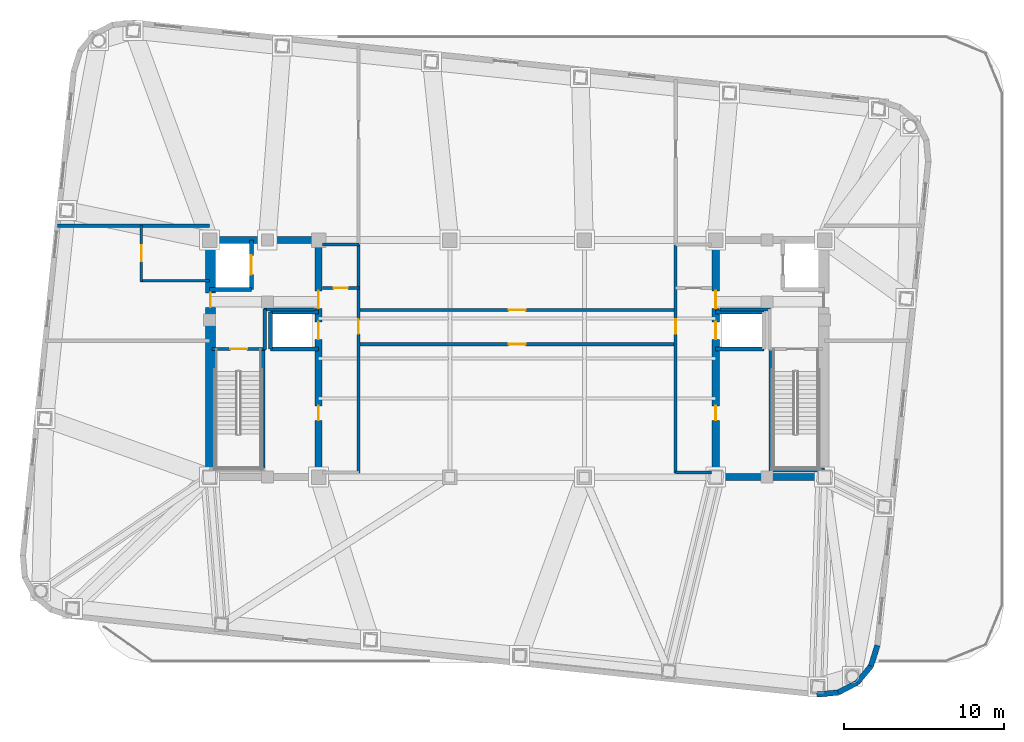
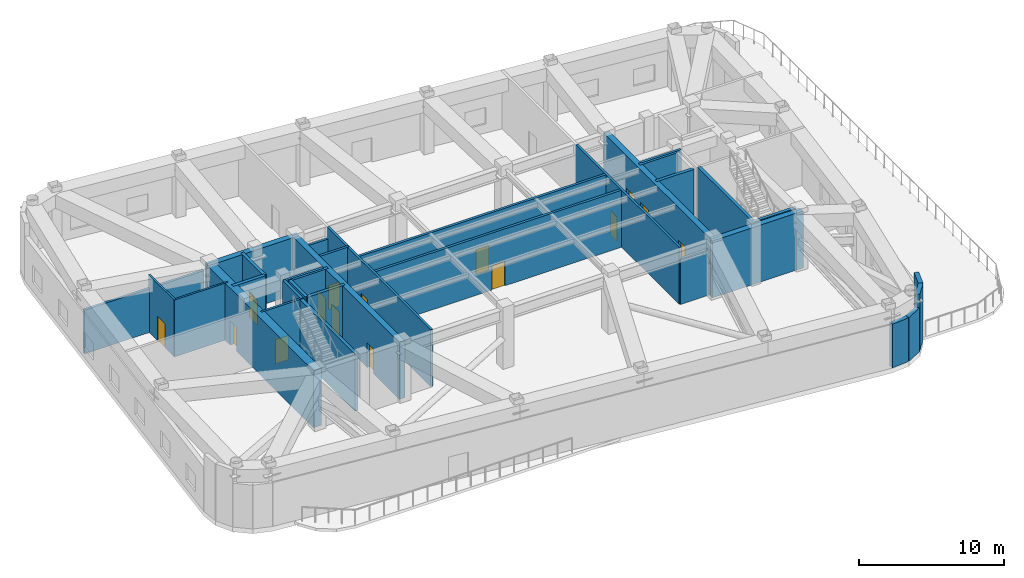
# One storey, part 4 of 9: 33 walls, 15 doors, 15 openings.
"""IFC4 building model written with IfcOpenShell, lengths in metres."""

import ifcopenshell
import ifcopenshell.guid

model = None  # the IFC model being written
_history = None  # IfcOwnerHistory: only IFC2X3 demands one
_inside = {}  # id of a spatial element -> (the spatial element, [elements in it])
_under = {}  # id of a project, library or spatial element -> (it, [spatial elements below it])
_declared = {}  # id of a project -> (the project, [libraries it declares])
_typed = {}  # id of a type object -> (the type object, [elements of that type])
_made_of = {}  # id of a material, layer set ... -> (it, [elements and type objects made of it])


def new_model(schema):
    """Start an empty IFC model of exactly this schema.

    Asked for "IFC4X3", IfcOpenShell would pick the latest addendum, in which some entities
    have other attributes; the version numbers below select the first issue.
    IFC2X3 requires an IfcOwnerHistory on every rooted entity: one is made here for all.
    """
    global model, _history
    if schema == "IFC4X3":
        model = ifcopenshell.file(schema_version=(4, 3, 0, 0))
    else:
        model = ifcopenshell.file(schema=schema)
    _inside.clear()
    _under.clear()
    _declared.clear()
    _typed.clear()
    _made_of.clear()
    _history = None
    if model.schema == "IFC2X3":
        org = make("IfcOrganization", Name="unknown")
        user = make(
            "IfcPersonAndOrganization",
            ThePerson=make("IfcPerson", FamilyName="unknown"),
            TheOrganization=org,
        )
        app = make(
            "IfcApplication",
            ApplicationDeveloper=org,
            Version="unknown",
            ApplicationFullName="unknown",
            ApplicationIdentifier="unknown",
        )
        _history = make(
            "IfcOwnerHistory",
            OwningUser=user,
            OwningApplication=app,
            ChangeAction="ADDED",
            CreationDate=0,
        )
    return model


def make(cls, **values):
    """One entity of the class cls with the attributes given. An attribute that is None is left unset."""
    return model.create_entity(
        cls, **{name: value for name, value in values.items() if value is not None}
    )


def rooted(cls, **values):
    """An entity with a GlobalId (a new one), such as an element, a storey or a relation."""
    return make(cls, GlobalId=ifcopenshell.guid.new(), OwnerHistory=_history, **values)


def si_unit(unit_type, name, prefix=None):
    """IfcSIUnit, for example si_unit("LENGTHUNIT", "METRE", prefix="MILLI")."""
    return make("IfcSIUnit", UnitType=unit_type, Prefix=prefix, Name=name)


def assignment(units):
    """IfcUnitAssignment: the units of a project."""
    return None if units is None else make("IfcUnitAssignment", Units=units)


def point(xyz):
    """IfcCartesianPoint."""
    return None if xyz is None else make("IfcCartesianPoint", Coordinates=xyz)


def direction(xyz):
    """IfcDirection."""
    return None if xyz is None else make("IfcDirection", DirectionRatios=xyz)


def frame(location, z_axis=None, x_axis=None):
    """IfcAxis2Placement3D, a coordinate frame: its origin and axes. An axis left out is left unset."""
    return make(
        "IfcAxis2Placement3D",
        Location=point(location),
        Axis=direction(z_axis),
        RefDirection=direction(x_axis),
    )


def frame_2d(location, x_axis=None):
    """IfcAxis2Placement2D, a coordinate frame in the plane: its origin and x axis."""
    return make(
        "IfcAxis2Placement2D", Location=point(location), RefDirection=direction(x_axis)
    )


def origin():
    """The frame at (0, 0, 0) with its axes left unset."""
    return frame((0.0, 0.0, 0.0))


def place(relative_to, where):
    """IfcLocalPlacement: puts the frame where relative to a parent placement (None: the world)."""
    return make(
        "IfcLocalPlacement", PlacementRelTo=relative_to, RelativePlacement=where
    )


def context(
    kind, dimensions, precision=None, world=None, true_north=None, identifier=None
):
    """IfcGeometricRepresentationContext, for example the 3D "Model" context."""
    return make(
        "IfcGeometricRepresentationContext",
        ContextIdentifier=identifier,
        ContextType=kind,
        CoordinateSpaceDimension=dimensions,
        Precision=precision,
        WorldCoordinateSystem=world,
        TrueNorth=true_north,
    )


def subcontext(parent, identifier, kind, view, scale=None):
    """IfcGeometricRepresentationSubContext, for example "Body" below "Model"."""
    return make(
        "IfcGeometricRepresentationSubContext",
        ContextIdentifier=identifier,
        ContextType=kind,
        ParentContext=parent,
        TargetScale=scale,
        TargetView=view,
    )


def project(units=None, contexts=None):
    """IfcProject with its units and contexts."""
    return rooted(
        "IfcProject",
        Name="project",
        RepresentationContexts=contexts,
        UnitsInContext=assignment(units),
    )


def spatial(cls, under=None, at=None, **own):
    """A site, building, storey or space (cls), placed at a placement, below another one or the project."""
    s = rooted(cls, ObjectPlacement=at, **own)
    if under is not None:
        _under.setdefault(under.id(), (under, []))[1].append(s)
    return s


def profile(cls, at=None, kind="AREA", **sizes):
    """A parametric profile (cls). Its sizes go by their IFC names, for example OverallWidth=200.0."""
    return make(cls, ProfileType=kind, Position=at, **sizes)


def rectangle(**sizes):
    """IfcRectangleProfileDef."""
    return profile("IfcRectangleProfileDef", **sizes)


def extrude(swept, where, along, depth):
    """IfcExtrudedAreaSolid: the profile swept, set in the frame where, extruded along a direction by depth."""
    return make(
        "IfcExtrudedAreaSolid",
        SweptArea=swept,
        Position=where,
        ExtrudedDirection=direction(along),
        Depth=depth,
    )


def shape(context_of_items, identifier, shape_type, items):
    """IfcShapeRepresentation: the items that make up one representation, for example the "Body"."""
    return make(
        "IfcShapeRepresentation",
        ContextOfItems=context_of_items,
        RepresentationIdentifier=identifier,
        RepresentationType=shape_type,
        Items=items,
    )


def material(Name=None, Category=None):
    """IfcMaterial."""
    return make("IfcMaterial", Name=Name, Category=Category)


def layer(
    of_material, thickness, ventilated=None, Name=None, Category=None, Priority=None
):
    """IfcMaterialLayer: one layer of a wall or slab, of a material (None: an air gap)."""
    return make(
        "IfcMaterialLayer",
        Material=of_material,
        LayerThickness=thickness,
        IsVentilated=ventilated,
        Name=Name,
        Category=Category,
        Priority=Priority,
    )


def layer_set(layers, Name=None):
    """IfcMaterialLayerSet."""
    return make("IfcMaterialLayerSet", MaterialLayers=layers, LayerSetName=Name)


def made_of(thing, what):
    """Note that an element or type object is made of a material, layer set ...; save() writes the relation."""
    if what is not None:
        _made_of.setdefault(what.id(), (what, []))[1].append(thing)
    return thing


def type_object(cls, material=None, **own):
    """A type object (cls), such as IfcWallType, which elements share."""
    return made_of(rooted(cls, **own), material)


def element(
    cls,
    number,
    at=None,
    inside=None,
    cuts=None,
    type_object=None,
    material=None,
    context=None,
    identifier="Body",
    shape_type=None,
    held_by="IfcProductDefinitionShape",
    body=None,
    shapes=None,
    **own,
):
    """One element of the class cls, such as IfcWall. Its Tag is "e" and its number.

    at: its placement. inside: the storey or other place that contains it. cuts: it is an
    opening in that element (IfcRelVoidsElement). A single representation is given by context,
    identifier, shape_type and body (its items); several are given by shapes. held_by: the class
    of the entity that holds the representations. save() writes the other relations.
    """
    e = rooted(cls, Tag="e%d" % number, ObjectPlacement=at, **own)
    if body is not None:
        shapes = [shape(context, identifier, shape_type, body)]
    if shapes is not None:
        e.Representation = make(held_by, Representations=shapes)
    if inside is not None:
        _inside.setdefault(inside.id(), (inside, []))[1].append(e)
    if cuts is not None:
        rooted(
            "IfcRelVoidsElement", RelatingBuildingElement=cuts, RelatedOpeningElement=e
        )
    if type_object is not None:
        _typed.setdefault(type_object.id(), (type_object, []))[1].append(e)
    return made_of(e, material)


def fill(opening, filler):
    """IfcRelFillsElement: the door or window that sits in an opening."""
    return rooted(
        "IfcRelFillsElement",
        RelatingOpeningElement=opening,
        RelatedBuildingElement=filler,
    )


def aggregate(whole, parts):
    """IfcRelAggregates: a whole, such as a stair, and the parts it consists of."""
    return rooted("IfcRelAggregates", RelatingObject=whole, RelatedObjects=parts)


def save(model, path):
    """Write the relations noted so far, then the file.

    IfcRelAggregates (storeys below a building ...), IfcRelContainedInSpatialStructure (elements
    in a storey), IfcRelDefinesByType, IfcRelAssociatesMaterial and IfcRelDeclares: one each for
    every whole, place, type object, material and project.
    """
    for whole, parts in _under.values():
        aggregate(whole, parts)
    for where, things in _inside.values():
        rooted(
            "IfcRelContainedInSpatialStructure",
            RelatedElements=things,
            RelatingStructure=where,
        )
    for kind, things in _typed.values():
        rooted("IfcRelDefinesByType", RelatedObjects=things, RelatingType=kind)
    for what, things in _made_of.values():
        rooted("IfcRelAssociatesMaterial", RelatedObjects=things, RelatingMaterial=what)
    for by, libraries in _declared.values():
        rooted("IfcRelDeclares", RelatingContext=by, RelatedDefinitions=libraries)
    model.write(path)


model = new_model("IFC4")

# Units and contexts
model_context = context("Model", 3, precision=1e-05, world=origin(), true_north=direction((0.0, 1.0)))
body_context = subcontext(model_context, "Body", "Model", "MODEL_VIEW")
ifc_project = project(units=[si_unit("LENGTHUNIT", "METRE"), si_unit("AREAUNIT", "SQUARE_METRE"), si_unit("VOLUMEUNIT", "CUBIC_METRE"), si_unit("PLANEANGLEUNIT", "RADIAN"), si_unit("MASSUNIT", "GRAM", prefix="KILO")], contexts=[model_context])

# Site, building, storey
site_placement = place(None, origin())
site = spatial("IfcSite", under=ifc_project, at=site_placement, CompositionType="ELEMENT")
building_placement = place(site_placement, origin())
building = spatial("IfcBuilding", under=site, at=building_placement, Name="Voryun Gate Residences", CompositionType="ELEMENT")
storey_placement = place(building_placement, frame((0.0, 0.0, 254.800048828125)))
storey = spatial("IfcBuildingStorey", under=building, at=storey_placement, Name="L63", CompositionType="ELEMENT", Elevation=254.800048828125)

# Wall
ifc_material_1 = material(Name="Concrete C50/60", Category="concrete")
ifc_layer_1 = layer(ifc_material_1, 0.449951171875, Name="CW_CORE_450")
ifc_layer_set_1 = layer_set([ifc_layer_1], Name="Concrete C50/60")
wall_type_1 = type_object("IfcWallType", Name="CW_CORE_450", PredefinedType="SHEAR", material=ifc_layer_set_1)
wall_1_placement = place(storey_placement, frame((-19.425048828125, 7.39990234375, 0.0), z_axis=(0.0, 0.0, 1.0), x_axis=(1.0, 0.0, 0.0)))
element("IfcWall", 1, at=wall_1_placement, inside=storey, type_object=wall_type_1, Name="L63 Core shear wall CW-L63-WN", PredefinedType="SHEAR", context=body_context, shape_type="SweptSolid", body=[
    extrude(rectangle(XDim=7.25, YDim=0.449951171875, at=frame_2d((3.625, 0.0))), origin(), (0.0, 0.0, 1.0), 4.800048828125),
])

# Wall, openings, doors
wall_2_placement = place(storey_placement, frame((-12.39990234375, -7.39990234375, 0.0), z_axis=(0.0, 0.0, 1.0), x_axis=(0.0, 1.0, 0.0)))
wall_2 = element("IfcWall", 2, at=wall_2_placement, inside=storey, type_object=wall_type_1, Name="L63 Core shear wall CW-L63-WE", PredefinedType="SHEAR", context=body_context, shape_type="SweptSolid", body=[
    extrude(rectangle(XDim=14.7998046875, YDim=0.449951171875, at=frame_2d((7.39990234375, 0.0))), origin(), (0.0, 0.0, 1.0), 4.800048828125),
])
opening_1_placement = place(wall_2_placement, frame((8.60009765625, 0.0, 0.0)))
opening_1 = element("IfcOpeningElement", 3, at=opening_1_placement, cuts=wall_2, Name="Opening LD2", PredefinedType="OPENING", context=body_context, shape_type="SweptSolid", body=[
    extrude(rectangle(XDim=1.10009765625, YDim=2.050048828125, at=frame_2d((0.550048828125, 1.02490234375))), frame((0.0, 0.235107421875, 0.0), z_axis=(0.0, -1.0, 0.0), x_axis=(1.0, 0.0, 0.0)), (0.0, 0.0, 1.0), 0.469970703125),
])
opening_2_placement = place(wall_2_placement, frame((10.530029296875, 0.0, 0.0)))
opening_2 = element("IfcOpeningElement", 4, at=opening_2_placement, cuts=wall_2, Name="Opening D-FD60-2", PredefinedType="OPENING", context=body_context, shape_type="SweptSolid", body=[
    extrude(rectangle(XDim=1.10009765625, YDim=2.050048828125, at=frame_2d((0.550048828125, 1.02490234375))), frame((0.0, 0.235107421875, 0.0), z_axis=(0.0, -1.0, 0.0), x_axis=(1.0, 0.0, 0.0)), (0.0, 0.0, 1.0), 0.469970703125),
])
opening_3_placement = place(wall_2_placement, frame((3.550048828125, 0.0, 0.0)))
opening_3 = element("IfcOpeningElement", 5, at=opening_3_placement, cuts=wall_2, Name="Opening D-FD60-4", PredefinedType="OPENING", context=body_context, shape_type="SweptSolid", body=[
    extrude(rectangle(XDim=0.89990234375, YDim=2.050048828125, at=frame_2d((0.449951171875, 1.02490234375))), frame((0.0, 0.235107421875, 0.0), z_axis=(0.0, -1.0, 0.0), x_axis=(1.0, 0.0, 0.0)), (0.0, 0.0, 1.0), 0.469970703125),
])
ifc_material_2 = material(Name="Painted steel fire door", Category="steel")
door_type_1 = type_object("IfcDoorType", Name="DR_FD60_FFLOB_1100", OperationType="NOTDEFINED", PredefinedType="DOOR", material=ifc_material_2)
door_1_placement = place(opening_2_placement, origin())
door_1 = element("IfcDoor", 6, at=door_1_placement, inside=storey, type_object=door_type_1, Name="Door DR-L63-CLOB-W", OperationType="SINGLE_SWING_LEFT", OverallHeight=2.050048828125, OverallWidth=1.10009765625, PredefinedType="DOOR", context=body_context, shape_type="SweptSolid", body=[
    extrude(rectangle(XDim=1.10009765625, YDim=2.050048828125, at=frame_2d((0.550048828125, 1.02490234375))), frame((0.0, 0.02490234375, 0.0), z_axis=(0.0, -1.0, 0.0), x_axis=(1.0, 0.0, 0.0)), (0.0, 0.0, 1.0), 0.050048828125),
])
fill(opening_2, door_1)
ifc_material_3 = material(Name="Painted steel fire door", Category="steel")
door_type_2 = type_object("IfcDoorType", Name="DR_FD60_RISER_900", OperationType="NOTDEFINED", PredefinedType="DOOR", material=ifc_material_3)
door_2_placement = place(opening_3_placement, origin())
door_2 = element("IfcDoor", 7, at=door_2_placement, inside=storey, type_object=door_type_2, Name="Door DR-L63-RECW-HI", OperationType="SINGLE_SWING_LEFT", OverallHeight=2.050048828125, OverallWidth=0.89990234375, PredefinedType="DOOR", context=body_context, shape_type="SweptSolid", body=[
    extrude(rectangle(XDim=0.89990234375, YDim=2.050048828125, at=frame_2d((0.449951171875, 1.02490234375))), frame((0.0, 0.02490234375, 0.0), z_axis=(0.0, -1.0, 0.0), x_axis=(1.0, 0.0, 0.0)), (0.0, 0.0, 1.0), 0.050048828125),
])
fill(opening_3, door_2)
ifc_material_4 = material(Name="Anodised aluminium", Category="aluminium")
door_type_3 = type_object("IfcDoorType", Name="DR_LD_PASS_1100", OperationType="NOTDEFINED", PredefinedType="DOOR", material=ifc_material_4)
door_3_placement = place(opening_1_placement, origin())
door_3 = element("IfcDoor", 8, at=door_3_placement, inside=storey, type_object=door_type_3, Name="Lift EL-P7 sliding landing door L63", OperationType="SLIDING_TO_LEFT", OverallHeight=2.050048828125, OverallWidth=1.10009765625, PredefinedType="DOOR", context=body_context, shape_type="SweptSolid", body=[
    extrude(rectangle(XDim=1.10009765625, YDim=2.050048828125, at=frame_2d((0.550048828125, 1.02490234375))), frame((0.0, 0.02490234375, 0.0), z_axis=(0.0, -1.0, 0.0), x_axis=(1.0, 0.0, 0.0)), (0.0, 0.0, 1.0), 0.050048828125),
])
fill(opening_1, door_3)

# Wall
wall_3_placement = place(storey_placement, frame((12.175048828125, -7.39990234375, 0.0), z_axis=(0.0, 0.0, 1.0), x_axis=(1.0, 0.0, 0.0)))
element("IfcWall", 9, at=wall_3_placement, inside=storey, type_object=wall_type_1, Name="L63 Core shear wall CW-L63-ES", PredefinedType="SHEAR", context=body_context, shape_type="SweptSolid", body=[
    extrude(rectangle(XDim=7.25, YDim=0.449951171875, at=frame_2d((3.625, 0.0))), origin(), (0.0, 0.0, 1.0), 4.800048828125),
])

# Wall, openings, doors
wall_4_placement = place(storey_placement, frame((12.39990234375, -7.39990234375, 0.0), z_axis=(0.0, 0.0, 1.0), x_axis=(0.0, 1.0, 0.0)))
wall_4 = element("IfcWall", 10, at=wall_4_placement, inside=storey, type_object=wall_type_1, Name="L63 Core shear wall CW-L63-EW", PredefinedType="SHEAR", context=body_context, shape_type="SweptSolid", body=[
    extrude(rectangle(XDim=14.7998046875, YDim=0.449951171875, at=frame_2d((7.39990234375, 0.0))), origin(), (0.0, 0.0, 1.0), 4.800048828125),
])
opening_4_placement = place(wall_4_placement, frame((8.60009765625, 0.0, 0.0)))
opening_4 = element("IfcOpeningElement", 11, at=opening_4_placement, cuts=wall_4, Name="Opening LD2", PredefinedType="OPENING", context=body_context, shape_type="SweptSolid", body=[
    extrude(rectangle(XDim=1.10009765625, YDim=2.050048828125, at=frame_2d((0.550048828125, 1.02490234375))), frame((0.0, 0.235107421875, 0.0), z_axis=(0.0, -1.0, 0.0), x_axis=(1.0, 0.0, 0.0)), (0.0, 0.0, 1.0), 0.469970703125),
])
opening_5_placement = place(wall_4_placement, frame((10.530029296875, 0.0, 0.0)))
opening_5 = element("IfcOpeningElement", 12, at=opening_5_placement, cuts=wall_4, Name="Opening D-FD60-2", PredefinedType="OPENING", context=body_context, shape_type="SweptSolid", body=[
    extrude(rectangle(XDim=1.10009765625, YDim=2.050048828125, at=frame_2d((0.550048828125, 1.02490234375))), frame((0.0, 0.235107421875, 0.0), z_axis=(0.0, -1.0, 0.0), x_axis=(1.0, 0.0, 0.0)), (0.0, 0.0, 1.0), 0.469970703125),
])
opening_6_placement = place(wall_4_placement, frame((3.550048828125, 0.0, 0.0)))
opening_6 = element("IfcOpeningElement", 13, at=opening_6_placement, cuts=wall_4, Name="Opening D-FD60-4", PredefinedType="OPENING", context=body_context, shape_type="SweptSolid", body=[
    extrude(rectangle(XDim=0.89990234375, YDim=2.050048828125, at=frame_2d((0.449951171875, 1.02490234375))), frame((0.0, 0.235107421875, 0.0), z_axis=(0.0, -1.0, 0.0), x_axis=(1.0, 0.0, 0.0)), (0.0, 0.0, 1.0), 0.469970703125),
])
door_4_placement = place(opening_5_placement, origin())
door_4 = element("IfcDoor", 14, at=door_4_placement, inside=storey, type_object=door_type_1, Name="Door DR-L63-CLOB-E", OperationType="SINGLE_SWING_RIGHT", OverallHeight=2.050048828125, OverallWidth=1.10009765625, PredefinedType="DOOR", context=body_context, shape_type="SweptSolid", body=[
    extrude(rectangle(XDim=1.10009765625, YDim=2.050048828125, at=frame_2d((0.550048828125, 1.02490234375))), frame((0.0, 0.02490234375, 0.0), z_axis=(0.0, -1.0, 0.0), x_axis=(1.0, 0.0, 0.0)), (0.0, 0.0, 1.0), 0.050048828125),
])
fill(opening_5, door_4)
door_5_placement = place(opening_6_placement, origin())
door_5 = element("IfcDoor", 15, at=door_5_placement, inside=storey, type_object=door_type_2, Name="Door DR-L63-RECE-HI", OperationType="SINGLE_SWING_RIGHT", OverallHeight=2.050048828125, OverallWidth=0.89990234375, PredefinedType="DOOR", context=body_context, shape_type="SweptSolid", body=[
    extrude(rectangle(XDim=0.89990234375, YDim=2.050048828125, at=frame_2d((0.449951171875, 1.02490234375))), frame((0.0, 0.02490234375, 0.0), z_axis=(0.0, -1.0, 0.0), x_axis=(1.0, 0.0, 0.0)), (0.0, 0.0, 1.0), 0.050048828125),
])
fill(opening_6, door_5)
door_6_placement = place(opening_4_placement, origin())
door_6 = element("IfcDoor", 16, at=door_6_placement, inside=storey, type_object=door_type_3, Name="Lift EL-P8 sliding landing door L63", OperationType="SLIDING_TO_LEFT", OverallHeight=2.050048828125, OverallWidth=1.10009765625, PredefinedType="DOOR", context=body_context, shape_type="SweptSolid", body=[
    extrude(rectangle(XDim=1.10009765625, YDim=2.050048828125, at=frame_2d((0.550048828125, 1.02490234375))), frame((0.0, 0.02490234375, 0.0), z_axis=(0.0, -1.0, 0.0), x_axis=(1.0, 0.0, 0.0)), (0.0, 0.0, 1.0), 0.050048828125),
])
fill(opening_4, door_6)

# Wall, opening, door
ifc_material_5 = material(Name="Concrete C60/75", Category="concrete")
ifc_layer_2 = layer(ifc_material_5, 0.64990234375, Name="CW_CORE_650")
ifc_layer_set_2 = layer_set([ifc_layer_2], Name="Concrete C60/75")
wall_type_2 = type_object("IfcWallType", Name="CW_CORE_650", PredefinedType="SHEAR", material=ifc_layer_set_2)
wall_5_placement = place(storey_placement, frame((-19.14501953125, -7.39990234375, 0.0), z_axis=(0.0, 0.0, 1.0), x_axis=(0.0, 1.0, 0.0)))
wall_5 = element("IfcWall", 17, at=wall_5_placement, inside=storey, type_object=wall_type_2, Name="L63 Core shear wall CW-L63-WW", PredefinedType="SHEAR", context=body_context, shape_type="SweptSolid", body=[
    extrude(rectangle(XDim=14.7998046875, YDim=0.64990234375, at=frame_2d((7.39990234375, 0.0))), origin(), (0.0, 0.0, 1.0), 4.800048828125),
])
opening_7_placement = place(wall_5_placement, frame((10.60009765625, 0.0, 0.0)))
opening_7 = element("IfcOpeningElement", 18, at=opening_7_placement, cuts=wall_5, Name="Opening D-FD60-4", PredefinedType="OPENING", context=body_context, shape_type="SweptSolid", body=[
    extrude(rectangle(XDim=0.89990234375, YDim=2.050048828125, at=frame_2d((0.449951171875, 1.02490234375))), frame((0.0, 0.3349609375, 0.0), z_axis=(0.0, -1.0, 0.0), x_axis=(1.0, 0.0, 0.0)), (0.0, 0.0, 1.0), 0.669921875),
])
door_7_placement = place(opening_7_placement, origin())
door_7 = element("IfcDoor", 19, at=door_7_placement, inside=storey, type_object=door_type_2, Name="Door DR-L63-STREF-W", OperationType="SINGLE_SWING_LEFT", OverallHeight=2.050048828125, OverallWidth=0.89990234375, PredefinedType="DOOR", context=body_context, shape_type="SweptSolid", body=[
    extrude(rectangle(XDim=0.89990234375, YDim=2.050048828125, at=frame_2d((0.449951171875, 1.02490234375))), frame((0.0, 0.02490234375, 0.0), z_axis=(0.0, -1.0, 0.0), x_axis=(1.0, 0.0, 0.0)), (0.0, 0.0, 1.0), 0.050048828125),
])
fill(opening_7, door_7)

ifc_material_6 = material(Name="Gypsum acoustic fireboard")
ifc_layer_3 = layer(ifc_material_6, 0.179931640625, Name="W_CORR_RATED_180")
ifc_layer_set_3 = layer_set([ifc_layer_3], Name="Gypsum acoustic fireboard")
wall_type_3 = type_object("IfcWallType", Name="W_CORR_RATED_180", PredefinedType="PARTITIONING", material=ifc_layer_set_3)
wall_6_placement = place(storey_placement, frame((-19.06005859375, 0.60009765625, 0.0), z_axis=(0.0, 0.0, 1.0), x_axis=(1.0, 0.0, 0.0)))
wall_6 = element("IfcWall", 20, at=wall_6_placement, inside=storey, type_object=wall_type_3, Name="Partition wall WP-L63-STV-W", PredefinedType="PARTITIONING", context=body_context, shape_type="SweptSolid", body=[
    extrude(rectangle(XDim=3.360107421875, YDim=0.179931640625, at=frame_2d((1.68017578125, 0.0))), origin(), (0.0, 0.0, 1.0), 4.800048828125),
])
opening_8_placement = place(wall_6_placement, frame((1.155029296875, 0.0, 0.0)))
opening_8 = element("IfcOpeningElement", 21, at=opening_8_placement, cuts=wall_6, Name="Opening D-FD60-1", PredefinedType="OPENING", context=body_context, shape_type="SweptSolid", body=[
    extrude(rectangle(XDim=1.050048828125, YDim=2.050048828125, at=frame_2d((0.52490234375, 1.02490234375))), frame((0.0, 0.099853515625, 0.0), z_axis=(0.0, -1.0, 0.0), x_axis=(1.0, 0.0, 0.0)), (0.0, 0.0, 1.0), 0.199951171875),
])
ifc_material_7 = material(Name="Painted steel fire door", Category="steel")
door_type_4 = type_object("IfcDoorType", Name="DR_FD60_STAIR_1050", OperationType="NOTDEFINED", PredefinedType="DOOR", material=ifc_material_7)
door_8_placement = place(opening_8_placement, origin())
door_8 = element("IfcDoor", 22, at=door_8_placement, inside=storey, type_object=door_type_4, Name="Door DR-L63-ST-W", OperationType="SINGLE_SWING_LEFT", OverallHeight=2.050048828125, OverallWidth=1.050048828125, PredefinedType="DOOR", context=body_context, shape_type="SweptSolid", body=[
    extrude(rectangle(XDim=1.050048828125, YDim=2.050048828125, at=frame_2d((0.52490234375, 1.02490234375))), frame((0.0, 0.02490234375, 0.0), z_axis=(0.0, -1.0, 0.0), x_axis=(1.0, 0.0, 0.0)), (0.0, 0.0, 1.0), 0.050048828125),
])
fill(opening_8, door_8)

# Walls
for number, where, z_axis, x_axis, name in (
    (23, (-12.14990234375, 7.1201171875, 0.0), (0.0, 0.0, 1.0), (1.0, 0.0, 0.0), "Partition wall WP-L63-PLBN-W"),
    (24, (9.8798828125, -7.1201171875, 0.0), (0.0, 0.0, 1.0), (1.0, 0.0, 0.0), "Partition wall WP-L63-PLBS-E"),
):
    element("IfcWall", number, at=place(storey_placement, frame(where, z_axis=z_axis, x_axis=x_axis)), inside=storey, type_object=wall_type_3, Name=name, PredefinedType="PARTITIONING", context=body_context, shape_type="SweptSolid", body=[
        extrude(rectangle(XDim=2.27001953125, YDim=0.179931640625, at=frame_2d((1.135009765625, 0.0))), origin(), (0.0, 0.0, 1.0), 3.83984375),
    ])

# Wall, opening, door
wall_7_placement = place(storey_placement, frame((-9.89990234375, -7.139892578125, 0.0), z_axis=(0.0, 0.0, 1.0), x_axis=(0.0, 1.0, 0.0)))
wall_7 = element("IfcWall", 25, at=wall_7_placement, inside=storey, type_object=wall_type_3, Name="Partition wall WP-L63-PLBW", PredefinedType="PARTITIONING", context=body_context, shape_type="SweptSolid", body=[
    extrude(rectangle(XDim=14.27978515625, YDim=0.179931640625, at=frame_2d((7.139892578125, 0.0))), origin(), (0.0, 0.0, 1.0), 4.800048828125),
])
opening_9_placement = place(wall_7_placement, frame((8.689208984375, 0.0, 0.0)))
opening_9 = element("IfcOpeningElement", 26, at=opening_9_placement, cuts=wall_7, Name="Opening D-FD60-4", PredefinedType="OPENING", context=body_context, shape_type="SweptSolid", body=[
    extrude(rectangle(XDim=0.89990234375, YDim=2.050048828125, at=frame_2d((0.449951171875, 1.02490234375))), frame((0.0, 0.099853515625, 0.0), z_axis=(0.0, -1.0, 0.0), x_axis=(1.0, 0.0, 0.0)), (0.0, 0.0, 1.0), 0.199951171875),
])
door_9_placement = place(opening_9_placement, origin())
door_9 = element("IfcDoor", 27, at=door_9_placement, inside=storey, type_object=door_type_2, Name="Door DR-L63-PLBW", OperationType="SINGLE_SWING_LEFT", OverallHeight=2.050048828125, OverallWidth=0.89990234375, PredefinedType="DOOR", context=body_context, shape_type="SweptSolid", body=[
    extrude(rectangle(XDim=0.89990234375, YDim=2.050048828125, at=frame_2d((0.449951171875, 1.02490234375))), frame((0.0, 0.02490234375, 0.0), z_axis=(0.0, -1.0, 0.0), x_axis=(1.0, 0.0, 0.0)), (0.0, 0.0, 1.0), 0.050048828125),
])
fill(opening_9, door_9)

wall_8_placement = place(storey_placement, frame((9.89990234375, -7.139892578125, 0.0), z_axis=(0.0, 0.0, 1.0), x_axis=(0.0, 1.0, 0.0)))
wall_8 = element("IfcWall", 28, at=wall_8_placement, inside=storey, type_object=wall_type_3, Name="Partition wall WP-L63-PLBE", PredefinedType="PARTITIONING", context=body_context, shape_type="SweptSolid", body=[
    extrude(rectangle(XDim=14.27978515625, YDim=0.179931640625, at=frame_2d((7.139892578125, 0.0))), origin(), (0.0, 0.0, 1.0), 4.800048828125),
])
opening_10_placement = place(wall_8_placement, frame((8.689208984375, 0.0, 0.0)))
opening_10 = element("IfcOpeningElement", 29, at=opening_10_placement, cuts=wall_8, Name="Opening D-FD60-4", PredefinedType="OPENING", context=body_context, shape_type="SweptSolid", body=[
    extrude(rectangle(XDim=0.89990234375, YDim=2.050048828125, at=frame_2d((0.449951171875, 1.02490234375))), frame((0.0, 0.099853515625, 0.0), z_axis=(0.0, -1.0, 0.0), x_axis=(1.0, 0.0, 0.0)), (0.0, 0.0, 1.0), 0.199951171875),
])
door_10_placement = place(opening_10_placement, origin())
door_10 = element("IfcDoor", 30, at=door_10_placement, inside=storey, type_object=door_type_2, Name="Door DR-L63-PLBE", OperationType="SINGLE_SWING_RIGHT", OverallHeight=2.050048828125, OverallWidth=0.89990234375, PredefinedType="DOOR", context=body_context, shape_type="SweptSolid", body=[
    extrude(rectangle(XDim=0.89990234375, YDim=2.050048828125, at=frame_2d((0.449951171875, 1.02490234375))), frame((0.0, 0.02490234375, 0.0), z_axis=(0.0, -1.0, 0.0), x_axis=(1.0, 0.0, 0.0)), (0.0, 0.0, 1.0), 0.050048828125),
])
fill(opening_10, door_10)

# Walls
ifc_material_8 = material(Name="Charcoal terracotta masonry", Category="masonry")
ifc_layer_4 = layer(ifc_material_8, 0.340087890625, Name="W_EXT_TERRACOTTA_340")
ifc_layer_set_4 = layer_set([ifc_layer_4], Name="Charcoal terracotta masonry")
wall_type_4 = type_object("IfcWallType", Name="W_EXT_TERRACOTTA_340", PredefinedType="ELEMENTEDWALL", material=ifc_layer_set_4)
wall_9_placement = place(storey_placement, frame((22.495849609375, -17.904541015625, 0.0), z_axis=(0.0, 0.0, 1.0), x_axis=(-0.296416228123, -0.955058856671, 0.0)))
element("IfcWall", 31, at=wall_9_placement, inside=storey, type_object=wall_type_4, Name="Exterior wall WEXT-L63-17", PredefinedType="ELEMENTEDWALL", context=body_context, shape_type="SweptSolid", body=[
    extrude(rectangle(XDim=1.35400390625, YDim=0.340087890625, at=frame_2d((0.677001953125, 0.0))), origin(), (0.0, 0.0, 1.0), 4.800048828125),
])
wall_10_placement = place(storey_placement, frame((22.094482421875, -19.19775390625, 0.0), z_axis=(0.0, 0.0, 1.0), x_axis=(-0.639501603217, -0.768789762863, 0.0)))
element("IfcWall", 32, at=wall_10_placement, inside=storey, type_object=wall_type_4, Name="Exterior wall WEXT-L63-18", PredefinedType="ELEMENTEDWALL", context=body_context, shape_type="SweptSolid", body=[
    extrude(rectangle(XDim=1.3369140625, YDim=0.340087890625, at=frame_2d((0.66845703125, 0.0))), origin(), (0.0, 0.0, 1.0), 4.800048828125),
])
wall_11_placement = place(storey_placement, frame((21.239501953125, -20.2255859375, 0.0), z_axis=(0.0, 0.0, 1.0), x_axis=(-0.884922182678, -0.465738908193, 0.0)))
element("IfcWall", 33, at=wall_11_placement, inside=storey, type_object=wall_type_4, Name="Exterior wall WEXT-L63-19", PredefinedType="ELEMENTEDWALL", context=body_context, shape_type="SweptSolid", body=[
    extrude(rectangle(XDim=1.337158203125, YDim=0.340087890625, at=frame_2d((0.66845703125, 0.0))), origin(), (0.0, 0.0, 1.0), 3.68994140625),
])
wall_12_placement = place(storey_placement, frame((20.05615234375, -20.848388671875, 0.0), z_axis=(0.0, 0.0, 1.0), x_axis=(-0.995813013343, -0.091413579172, 0.0)))
element("IfcWall", 34, at=wall_12_placement, inside=storey, type_object=wall_type_4, Name="Exterior wall WEXT-L63-20", PredefinedType="ELEMENTEDWALL", context=body_context, shape_type="SweptSolid", body=[
    extrude(rectangle(XDim=1.35400390625, YDim=0.340087890625, at=frame_2d((0.677001953125, 0.0))), origin(), (0.0, 0.0, 1.0), 3.68994140625),
])
ifc_material_9 = material(Name="Concrete C40/50", Category="concrete")
ifc_layer_5 = layer(ifc_material_9, 0.199951171875, Name="W_FF_LOBBY_200")
ifc_layer_set_5 = layer_set([ifc_layer_5], Name="Concrete C40/50")
wall_type_5 = type_object("IfcWallType", Name="W_FF_LOBBY_200", PredefinedType="PARTITIONING", material=ifc_layer_set_5)
wall_13_placement = place(storey_placement, frame((-15.760009765625, 0.580078125, 0.0), z_axis=(0.0, 0.0, 1.0), x_axis=(0.0, 1.0, 0.0)))
element("IfcWall", 35, at=wall_13_placement, inside=storey, type_object=wall_type_5, Name="Partition wall WP-L63-FFP0-W", PredefinedType="PARTITIONING", context=body_context, shape_type="SweptSolid", body=[
    extrude(rectangle(XDim=2.52001953125, YDim=0.199951171875, at=frame_2d((1.260009765625, 0.0))), origin(), (0.0, 0.0, 1.0), 4.800048828125),
])
wall_14_placement = place(storey_placement, frame((-15.820068359375, 3.06005859375, 0.0), z_axis=(0.0, 0.0, 1.0), x_axis=(1.0, 0.0, 0.0)))
element("IfcWall", 36, at=wall_14_placement, inside=storey, type_object=wall_type_5, Name="Partition wall WP-L63-FFPS-W", PredefinedType="PARTITIONING", context=body_context, shape_type="SweptSolid", body=[
    extrude(rectangle(XDim=3.16015625, YDim=0.199951171875, at=frame_2d((1.580078125, 0.0))), origin(), (0.0, 0.0, 1.0), 4.800048828125),
])

# Wall, opening, door
wall_15_placement = place(storey_placement, frame((-12.14990234375, 4.409912109375, 0.0), z_axis=(0.0, 0.0, 1.0), x_axis=(1.0, 0.0, 0.0)))
wall_15 = element("IfcWall", 37, at=wall_15_placement, inside=storey, type_object=wall_type_5, Name="Partition wall WP-L63-CSFLKS-W", PredefinedType="PARTITIONING", context=body_context, shape_type="SweptSolid", body=[
    extrude(rectangle(XDim=2.27001953125, YDim=0.199951171875, at=frame_2d((1.135009765625, 0.0))), origin(), (0.0, 0.0, 1.0), 4.800048828125),
])
opening_11_placement = place(wall_15_placement, frame((0.68505859375, 0.0, 0.0)))
opening_11 = element("IfcOpeningElement", 38, at=opening_11_placement, cuts=wall_15, Name="Opening D-FD60-4", PredefinedType="OPENING", context=body_context, shape_type="SweptSolid", body=[
    extrude(rectangle(XDim=0.89990234375, YDim=2.050048828125, at=frame_2d((0.449951171875, 1.02490234375))), frame((0.0, 0.110107421875, 0.0), z_axis=(0.0, -1.0, 0.0), x_axis=(1.0, 0.0, 0.0)), (0.0, 0.0, 1.0), 0.219970703125),
])
door_11_placement = place(opening_11_placement, origin())
door_11 = element("IfcDoor", 39, at=door_11_placement, inside=storey, type_object=door_type_2, Name="Door DR-L63-CSFLK-W", OperationType="SINGLE_SWING_LEFT", OverallHeight=2.050048828125, OverallWidth=0.89990234375, PredefinedType="DOOR", context=body_context, shape_type="SweptSolid", body=[
    extrude(rectangle(XDim=0.89990234375, YDim=2.050048828125, at=frame_2d((0.449951171875, 1.02490234375))), frame((0.0, 0.02490234375, 0.0), z_axis=(0.0, -1.0, 0.0), x_axis=(1.0, 0.0, 0.0)), (0.0, 0.0, 1.0), 0.050048828125),
])
fill(opening_11, door_11)

# Wall
wall_16_placement = place(storey_placement, frame((12.659912109375, 3.06005859375, 0.0), z_axis=(0.0, 0.0, 1.0), x_axis=(1.0, 0.0, 0.0)))
element("IfcWall", 40, at=wall_16_placement, inside=storey, type_object=wall_type_5, Name="Partition wall WP-L63-FFPS-E", PredefinedType="PARTITIONING", context=body_context, shape_type="SweptSolid", body=[
    extrude(rectangle(XDim=3.16015625, YDim=0.199951171875, at=frame_2d((1.580078125, 0.0))), origin(), (0.0, 0.0, 1.0), 4.800048828125),
])

# Wall, opening, door
wall_17_placement = place(storey_placement, frame((-9.949951171875, 3.0400390625, 0.0), z_axis=(0.0, 0.0, 1.0), x_axis=(1.0, 0.0, 0.0)))
wall_17 = element("IfcWall", 41, at=wall_17_placement, inside=storey, type_object=wall_type_5, Name="Partition wall WP-L63-RN", PredefinedType="PARTITIONING", context=body_context, shape_type="SweptSolid", body=[
    extrude(rectangle(XDim=19.89990234375, YDim=0.199951171875, at=frame_2d((9.949951171875, 0.0))), origin(), (0.0, 0.0, 1.0), 4.800048828125),
])
opening_12_placement = place(wall_17_placement, frame((9.425048828125, 0.0, 0.0)))
opening_12 = element("IfcOpeningElement", 42, at=opening_12_placement, cuts=wall_17, Name="Opening D-FD60-1", PredefinedType="OPENING", context=body_context, shape_type="SweptSolid", body=[
    extrude(rectangle(XDim=1.050048828125, YDim=2.050048828125, at=frame_2d((0.52490234375, 1.02490234375))), frame((0.0, 0.110107421875, 0.0), z_axis=(0.0, -1.0, 0.0), x_axis=(1.0, 0.0, 0.0)), (0.0, 0.0, 1.0), 0.219970703125),
])
door_12_placement = place(opening_12_placement, origin())
door_12 = element("IfcDoor", 43, at=door_12_placement, inside=storey, type_object=door_type_4, Name="Door DR-L63-PL1", OperationType="SINGLE_SWING_LEFT", OverallHeight=2.050048828125, OverallWidth=1.050048828125, PredefinedType="DOOR", context=body_context, shape_type="SweptSolid", body=[
    extrude(rectangle(XDim=1.050048828125, YDim=2.050048828125, at=frame_2d((0.52490234375, 1.02490234375))), frame((0.0, 0.02490234375, 0.0), z_axis=(0.0, -1.0, 0.0), x_axis=(1.0, 0.0, 0.0)), (0.0, 0.0, 1.0), 0.050048828125),
])
fill(opening_12, door_12)

wall_18_placement = place(storey_placement, frame((-9.949951171875, 0.89990234375, 0.0), z_axis=(0.0, 0.0, 1.0), x_axis=(1.0, 0.0, 0.0)))
wall_18 = element("IfcWall", 44, at=wall_18_placement, inside=storey, type_object=wall_type_5, Name="Partition wall WP-L63-RS", PredefinedType="PARTITIONING", context=body_context, shape_type="SweptSolid", body=[
    extrude(rectangle(XDim=19.89990234375, YDim=0.199951171875, at=frame_2d((9.949951171875, 0.0))), origin(), (0.0, 0.0, 1.0), 4.800048828125),
])
opening_13_placement = place(wall_18_placement, frame((9.425048828125, 0.0, 0.0)))
opening_13 = element("IfcOpeningElement", 45, at=opening_13_placement, cuts=wall_18, Name="Opening D-FD60-1", PredefinedType="OPENING", context=body_context, shape_type="SweptSolid", body=[
    extrude(rectangle(XDim=1.050048828125, YDim=2.050048828125, at=frame_2d((0.52490234375, 1.02490234375))), frame((0.0, 0.110107421875, 0.0), z_axis=(0.0, -1.0, 0.0), x_axis=(1.0, 0.0, 0.0)), (0.0, 0.0, 1.0), 0.219970703125),
])
door_13_placement = place(opening_13_placement, origin())
door_13 = element("IfcDoor", 46, at=door_13_placement, inside=storey, type_object=door_type_4, Name="Door DR-L63-PL2", OperationType="SINGLE_SWING_RIGHT", OverallHeight=2.050048828125, OverallWidth=1.050048828125, PredefinedType="DOOR", context=body_context, shape_type="SweptSolid", body=[
    extrude(rectangle(XDim=1.050048828125, YDim=2.050048828125, at=frame_2d((0.52490234375, 1.02490234375))), frame((0.0, 0.02490234375, 0.0), z_axis=(0.0, -1.0, 0.0), x_axis=(1.0, 0.0, 0.0)), (0.0, 0.0, 1.0), 0.050048828125),
])
fill(opening_13, door_13)

# Walls
wall_19_placement = place(storey_placement, frame((-28.705322265625, 8.300048828125, 0.0), z_axis=(0.0, 0.0, 1.0), x_axis=(1.0, 0.0, 0.0)))
element("IfcWall", 47, at=wall_19_placement, inside=storey, type_object=wall_type_5, Name="Partition wall WP-L63-RFNW", PredefinedType="PARTITIONING", context=body_context, shape_type="SweptSolid", body=[
    extrude(rectangle(XDim=9.50537109375, YDim=0.199951171875, at=frame_2d((4.752685546875, 0.0))), origin(), (0.0, 0.0, 1.0), 3.68994140625),
])
ifc_material_10 = material(Name="Concrete C50/60", Category="concrete")
ifc_layer_6 = layer(ifc_material_10, 0.25, Name="W_SHAFT_RC250")
ifc_layer_set_6 = layer_set([ifc_layer_6], Name="Concrete C50/60")
wall_type_6 = type_object("IfcWallType", Name="W_SHAFT_RC250", PredefinedType="SOLIDWALL", material=ifc_layer_set_6)
for number, where, z_axis, x_axis, name in (
    (48, (-15.860107421875, -7.0849609375, 0.0), (0.0, 0.0, 1.0), (0.0, 1.0, 0.0), "L63 Stair shaft structural wall W-STR"),
    (49, (15.860107421875, -7.0849609375, 0.0), (0.0, 0.0, 1.0), (0.0, 1.0, 0.0), "L63 Stair shaft structural wall E-STL"),
):
    element("IfcWall", number, at=place(storey_placement, frame(where, z_axis=z_axis, x_axis=x_axis)), inside=storey, type_object=wall_type_6, Name=name, PredefinedType="SOLIDWALL", context=body_context, shape_type="SweptSolid", body=[
        extrude(rectangle(XDim=7.68505859375, YDim=0.25, at=frame_2d((3.842529296875, 0.0))), origin(), (0.0, 0.0, 1.0), 4.800048828125),
    ])
wall_20_placement = place(storey_placement, frame((15.739990234375, -6.965087890625, 0.0), z_axis=(0.0, 0.0, 1.0), x_axis=(1.0, 0.0, 0.0)))
element("IfcWall", 50, at=wall_20_placement, inside=storey, type_object=wall_type_6, Name="L63 Stair shaft structural wall E-STS", PredefinedType="SOLIDWALL", context=body_context, shape_type="SweptSolid", body=[
    extrude(rectangle(XDim=3.4599609375, YDim=0.25, at=frame_2d((1.72998046875, 0.0))), origin(), (0.0, 0.0, 1.0), 4.800048828125),
])
wall_21_placement = place(storey_placement, frame((-19.199951171875, 4.300048828125, 0.0), z_axis=(0.0, 0.0, 1.0), x_axis=(1.0, 0.0, 0.0)))
element("IfcWall", 51, at=wall_21_placement, inside=storey, type_object=wall_type_6, Name="Lift shaft wall WSH-L63-EL-FF-W1-S", PredefinedType="SOLIDWALL", context=body_context, shape_type="SweptSolid", body=[
    extrude(rectangle(XDim=2.599853515625, YDim=0.25, at=frame_2d((1.2998046875, 0.0))), origin(), (0.0, 0.0, 1.0), 4.800048828125),
])

# Wall, opening, door
wall_22_placement = place(storey_placement, frame((-16.60009765625, 4.300048828125, 0.0), z_axis=(0.0, 0.0, 1.0), x_axis=(0.0, 1.0, 0.0)))
wall_22 = element("IfcWall", 52, at=wall_22_placement, inside=storey, type_object=wall_type_6, Name="Lift shaft wall WSH-L63-EL-FF-W1-E", PredefinedType="SOLIDWALL", context=body_context, shape_type="SweptSolid", body=[
    extrude(rectangle(XDim=3.099853515625, YDim=0.25, at=frame_2d((1.5498046875, 0.0))), origin(), (0.0, 0.0, 1.0), 4.800048828125),
])
opening_14_placement = place(wall_22_placement, frame((0.949951171875, 0.0, 0.0)))
opening_14 = element("IfcOpeningElement", 53, at=opening_14_placement, cuts=wall_22, Name="Opening LD1", PredefinedType="OPENING", context=body_context, shape_type="SweptSolid", body=[
    extrude(rectangle(XDim=1.199951171875, YDim=2.050048828125, at=frame_2d((0.60009765625, 1.02490234375))), frame((0.0, 0.135009765625, 0.0), z_axis=(0.0, -1.0, 0.0), x_axis=(1.0, 0.0, 0.0)), (0.0, 0.0, 1.0), 0.27001953125),
])
ifc_material_11 = material(Name="Anodised aluminium", Category="aluminium")
door_type_5 = type_object("IfcDoorType", Name="DR_LD_FF_1200", OperationType="NOTDEFINED", PredefinedType="DOOR", material=ifc_material_11)
door_14_placement = place(opening_14_placement, origin())
door_14 = element("IfcDoor", 54, at=door_14_placement, inside=storey, type_object=door_type_5, Name="Lift EL-FF-W1 sliding landing door L63", OperationType="SLIDING_TO_LEFT", OverallHeight=2.050048828125, OverallWidth=1.199951171875, PredefinedType="DOOR", context=body_context, shape_type="SweptSolid", body=[
    extrude(rectangle(XDim=1.199951171875, YDim=2.050048828125, at=frame_2d((0.60009765625, 1.02490234375))), frame((0.0, 0.02490234375, 0.0), z_axis=(0.0, -1.0, 0.0), x_axis=(1.0, 0.0, 0.0)), (0.0, 0.0, 1.0), 0.050048828125),
])
fill(opening_14, door_14)

# Walls
for number, where, z_axis, x_axis, name in (
    (55, (-15.39990234375, 0.60009765625, 0.0), (0.0, 0.0, 1.0), (1.0, 0.0, 0.0), "Lift shaft wall WSH-L63-EL-P7-S"),
    (56, (-12.39990234375, 2.89990234375, 0.0), (0.0, 0.0, 1.0), (-1.0, 0.0, 0.0), "Lift shaft wall WSH-L63-EL-P7-N"),
):
    element("IfcWall", number, at=place(storey_placement, frame(where, z_axis=z_axis, x_axis=x_axis)), inside=storey, type_object=wall_type_6, Name=name, PredefinedType="SOLIDWALL", context=body_context, shape_type="SweptSolid", body=[
        extrude(rectangle(XDim=3.0, YDim=0.25, at=frame_2d((1.5, 0.0))), origin(), (0.0, 0.0, 1.0), 4.800048828125),
    ])
wall_23_placement = place(storey_placement, frame((-15.39990234375, 2.89990234375, 0.0), z_axis=(0.0, 0.0, 1.0), x_axis=(0.0, -1.0, 0.0)))
element("IfcWall", 57, at=wall_23_placement, inside=storey, type_object=wall_type_6, Name="Lift shaft wall WSH-L63-EL-P7-W", PredefinedType="SOLIDWALL", context=body_context, shape_type="SweptSolid", body=[
    extrude(rectangle(XDim=2.2998046875, YDim=0.25, at=frame_2d((1.14990234375, 0.0))), origin(), (0.0, 0.0, 1.0), 4.800048828125),
])
for number, where, z_axis, x_axis, name in (
    (58, (12.39990234375, 0.60009765625, 0.0), (0.0, 0.0, 1.0), (1.0, 0.0, 0.0), "Lift shaft wall WSH-L63-EL-P8-S"),
    (59, (15.39990234375, 2.89990234375, 0.0), (0.0, 0.0, 1.0), (-1.0, 0.0, 0.0), "Lift shaft wall WSH-L63-EL-P8-N"),
):
    element("IfcWall", number, at=place(storey_placement, frame(where, z_axis=z_axis, x_axis=x_axis)), inside=storey, type_object=wall_type_6, Name=name, PredefinedType="SOLIDWALL", context=body_context, shape_type="SweptSolid", body=[
        extrude(rectangle(XDim=3.0, YDim=0.25, at=frame_2d((1.5, 0.0))), origin(), (0.0, 0.0, 1.0), 4.800048828125),
    ])

# Wall, opening, door
ifc_material_12 = material(Name="Gypsum moisture-resistant partition")
ifc_layer_7 = layer(ifc_material_12, 0.14990234375, Name="W_WET_PLUMB_150")
ifc_layer_set_7 = layer_set([ifc_layer_7], Name="Gypsum moisture-resistant partition")
wall_type_7 = type_object("IfcWallType", Name="W_WET_PLUMB_150", PredefinedType="PLUMBINGWALL", material=ifc_layer_set_7)
wall_24_placement = place(storey_placement, frame((-23.4599609375, 4.820068359375, 0.0), z_axis=(0.0, 0.0, 1.0), x_axis=(0.0, 1.0, 0.0)))
wall_24 = element("IfcWall", 60, at=wall_24_placement, inside=storey, type_object=wall_type_7, Name="Partition wall WP-L63-RFWCW", PredefinedType="PLUMBINGWALL", context=body_context, shape_type="SweptSolid", body=[
    extrude(rectangle(XDim=3.5, YDim=0.14990234375, at=frame_2d((1.75, 0.0))), origin(), (0.0, 0.0, 1.0), 4.800048828125),
])
opening_15_placement = place(wall_24_placement, frame((1.25, 0.0, 0.0)))
opening_15 = element("IfcOpeningElement", 61, at=opening_15_placement, cuts=wall_24, Name="Opening D-AWC-1", PredefinedType="OPENING", context=body_context, shape_type="SweptSolid", body=[
    extrude(rectangle(XDim=1.0, YDim=2.050048828125, at=frame_2d((0.5, 1.02490234375))), frame((0.0, 0.0849609375, 0.0), z_axis=(0.0, -1.0, 0.0), x_axis=(1.0, 0.0, 0.0)), (0.0, 0.0, 1.0), 0.169921875),
])
ifc_material_13 = material(Name="Architectural oak veneer")
door_type_6 = type_object("IfcDoorType", Name="DR_ACC_WC_1000", OperationType="NOTDEFINED", PredefinedType="DOOR", material=ifc_material_13)
door_15_placement = place(opening_15_placement, origin())
door_15 = element("IfcDoor", 62, at=door_15_placement, inside=storey, type_object=door_type_6, Name="Door DR-L63-RFWC", OperationType="SINGLE_SWING_LEFT", OverallHeight=2.050048828125, OverallWidth=1.0, PredefinedType="DOOR", context=body_context, shape_type="SweptSolid", body=[
    extrude(rectangle(XDim=1.0, YDim=2.050048828125, at=frame_2d((0.5, 1.02490234375))), frame((0.0, 0.02490234375, 0.0), z_axis=(0.0, -1.0, 0.0), x_axis=(1.0, 0.0, 0.0)), (0.0, 0.0, 1.0), 0.050048828125),
])
fill(opening_15, door_15)

# Wall
wall_25_placement = place(storey_placement, frame((-23.52001953125, 4.860107421875, 0.0), z_axis=(0.0, 0.0, 1.0), x_axis=(1.0, 0.0, 0.0)))
element("IfcWall", 63, at=wall_25_placement, inside=storey, type_object=wall_type_7, Name="Partition wall WP-L63-RFWCS", PredefinedType="PLUMBINGWALL", context=body_context, shape_type="SweptSolid", body=[
    extrude(rectangle(XDim=4.320068359375, YDim=0.14990234375, at=frame_2d((2.16015625, 0.0))), origin(), (0.0, 0.0, 1.0), 4.800048828125),
])

save(model, "model.ifc")
